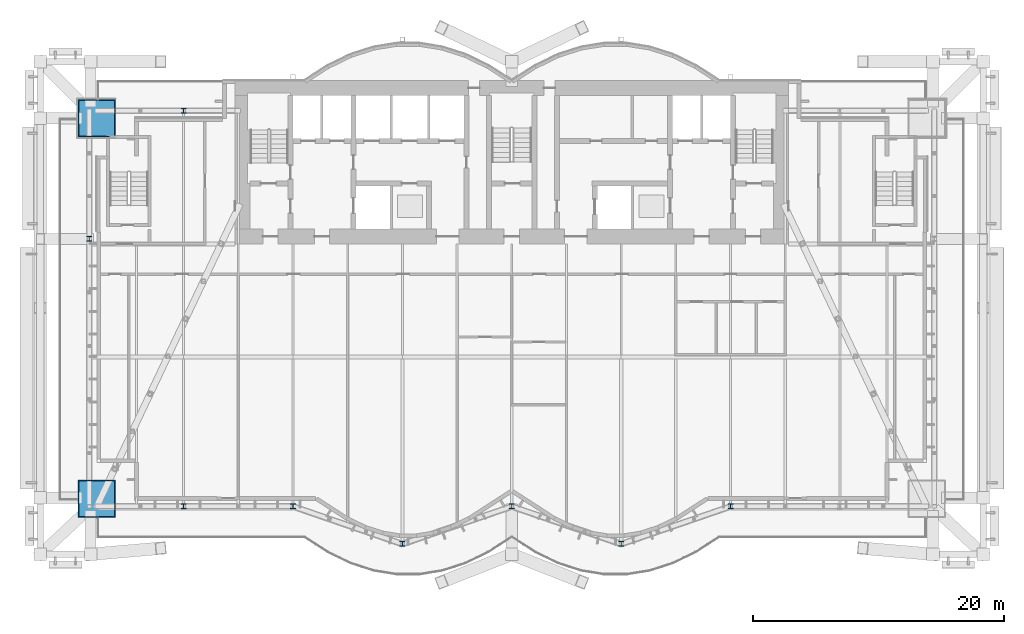
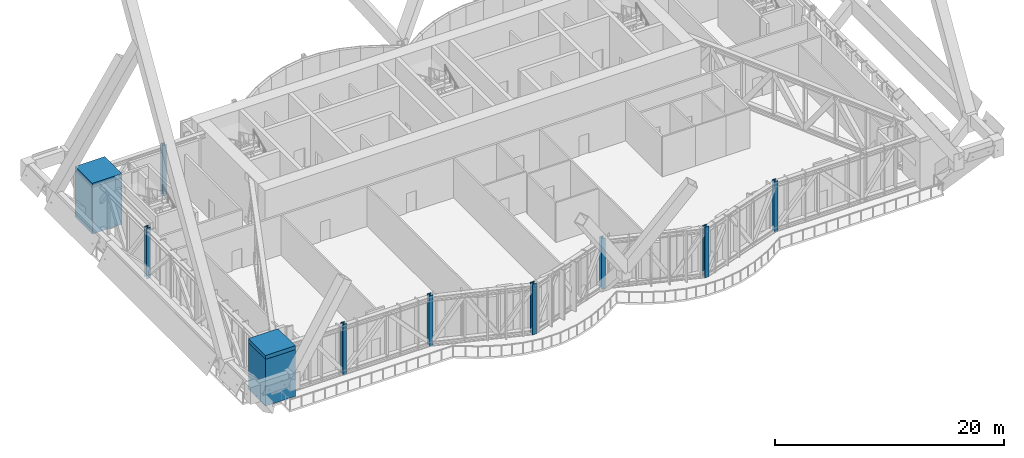
# One storey, part 1 of 32: 12 columns.
"""IFC4 building model written with IfcOpenShell, lengths in metres."""

import ifcopenshell
import ifcopenshell.guid

model = None  # the IFC model being written
_history = None  # IfcOwnerHistory: only IFC2X3 demands one
_inside = {}  # id of a spatial element -> (the spatial element, [elements in it])
_under = {}  # id of a project, library or spatial element -> (it, [spatial elements below it])
_declared = {}  # id of a project -> (the project, [libraries it declares])
_typed = {}  # id of a type object -> (the type object, [elements of that type])
_made_of = {}  # id of a material, layer set ... -> (it, [elements and type objects made of it])


def new_model(schema):
    """Start an empty IFC model of exactly this schema.

    Asked for "IFC4X3", IfcOpenShell would pick the latest addendum, in which some entities
    have other attributes; the version numbers below select the first issue.
    IFC2X3 requires an IfcOwnerHistory on every rooted entity: one is made here for all.
    """
    global model, _history
    if schema == "IFC4X3":
        model = ifcopenshell.file(schema_version=(4, 3, 0, 0))
    else:
        model = ifcopenshell.file(schema=schema)
    _inside.clear()
    _under.clear()
    _declared.clear()
    _typed.clear()
    _made_of.clear()
    _history = None
    if model.schema == "IFC2X3":
        org = make("IfcOrganization", Name="unknown")
        user = make(
            "IfcPersonAndOrganization",
            ThePerson=make("IfcPerson", FamilyName="unknown"),
            TheOrganization=org,
        )
        app = make(
            "IfcApplication",
            ApplicationDeveloper=org,
            Version="unknown",
            ApplicationFullName="unknown",
            ApplicationIdentifier="unknown",
        )
        _history = make(
            "IfcOwnerHistory",
            OwningUser=user,
            OwningApplication=app,
            ChangeAction="ADDED",
            CreationDate=0,
        )
    return model


def make(cls, **values):
    """One entity of the class cls with the attributes given. An attribute that is None is left unset."""
    return model.create_entity(
        cls, **{name: value for name, value in values.items() if value is not None}
    )


def rooted(cls, **values):
    """An entity with a GlobalId (a new one), such as an element, a storey or a relation."""
    return make(cls, GlobalId=ifcopenshell.guid.new(), OwnerHistory=_history, **values)


def si_unit(unit_type, name, prefix=None):
    """IfcSIUnit, for example si_unit("LENGTHUNIT", "METRE", prefix="MILLI")."""
    return make("IfcSIUnit", UnitType=unit_type, Prefix=prefix, Name=name)


def assignment(units):
    """IfcUnitAssignment: the units of a project."""
    return None if units is None else make("IfcUnitAssignment", Units=units)


def point(xyz):
    """IfcCartesianPoint."""
    return None if xyz is None else make("IfcCartesianPoint", Coordinates=xyz)


def direction(xyz):
    """IfcDirection."""
    return None if xyz is None else make("IfcDirection", DirectionRatios=xyz)


def frame(location, z_axis=None, x_axis=None):
    """IfcAxis2Placement3D, a coordinate frame: its origin and axes. An axis left out is left unset."""
    return make(
        "IfcAxis2Placement3D",
        Location=point(location),
        Axis=direction(z_axis),
        RefDirection=direction(x_axis),
    )


def frame_2d(location, x_axis=None):
    """IfcAxis2Placement2D, a coordinate frame in the plane: its origin and x axis."""
    return make(
        "IfcAxis2Placement2D", Location=point(location), RefDirection=direction(x_axis)
    )


def origin():
    """The frame at (0, 0, 0) with its axes left unset."""
    return frame((0.0, 0.0, 0.0))


def origin_2d():
    """The frame at (0, 0) in the plane with its x axis left unset."""
    return frame_2d((0.0, 0.0))


def place(relative_to, where):
    """IfcLocalPlacement: puts the frame where relative to a parent placement (None: the world)."""
    return make(
        "IfcLocalPlacement", PlacementRelTo=relative_to, RelativePlacement=where
    )


def context(
    kind, dimensions, precision=None, world=None, true_north=None, identifier=None
):
    """IfcGeometricRepresentationContext, for example the 3D "Model" context."""
    return make(
        "IfcGeometricRepresentationContext",
        ContextIdentifier=identifier,
        ContextType=kind,
        CoordinateSpaceDimension=dimensions,
        Precision=precision,
        WorldCoordinateSystem=world,
        TrueNorth=true_north,
    )


def subcontext(parent, identifier, kind, view, scale=None):
    """IfcGeometricRepresentationSubContext, for example "Body" below "Model"."""
    return make(
        "IfcGeometricRepresentationSubContext",
        ContextIdentifier=identifier,
        ContextType=kind,
        ParentContext=parent,
        TargetScale=scale,
        TargetView=view,
    )


def project(units=None, contexts=None):
    """IfcProject with its units and contexts."""
    return rooted(
        "IfcProject",
        Name="project",
        RepresentationContexts=contexts,
        UnitsInContext=assignment(units),
    )


def spatial(cls, under=None, at=None, **own):
    """A site, building, storey or space (cls), placed at a placement, below another one or the project."""
    s = rooted(cls, ObjectPlacement=at, **own)
    if under is not None:
        _under.setdefault(under.id(), (under, []))[1].append(s)
    return s


def profile(cls, at=None, kind="AREA", **sizes):
    """A parametric profile (cls). Its sizes go by their IFC names, for example OverallWidth=200.0."""
    return make(cls, ProfileType=kind, Position=at, **sizes)


def rectangle(**sizes):
    """IfcRectangleProfileDef."""
    return profile("IfcRectangleProfileDef", **sizes)


def hollow_rectangle(**sizes):
    """IfcRectangleHollowProfileDef."""
    return profile("IfcRectangleHollowProfileDef", **sizes)


def i_section(**sizes):
    """IfcIShapeProfileDef."""
    return profile("IfcIShapeProfileDef", **sizes)


def extrude(swept, where, along, depth):
    """IfcExtrudedAreaSolid: the profile swept, set in the frame where, extruded along a direction by depth."""
    return make(
        "IfcExtrudedAreaSolid",
        SweptArea=swept,
        Position=where,
        ExtrudedDirection=direction(along),
        Depth=depth,
    )


def shape(context_of_items, identifier, shape_type, items):
    """IfcShapeRepresentation: the items that make up one representation, for example the "Body"."""
    return make(
        "IfcShapeRepresentation",
        ContextOfItems=context_of_items,
        RepresentationIdentifier=identifier,
        RepresentationType=shape_type,
        Items=items,
    )


def material(Name=None, Category=None):
    """IfcMaterial."""
    return make("IfcMaterial", Name=Name, Category=Category)


def material_profile(
    of_material, cross_section, Name=None, Category=None, Priority=None
):
    """IfcMaterialProfile: a cross section and its material."""
    return make(
        "IfcMaterialProfile",
        Name=Name,
        Material=of_material,
        Profile=cross_section,
        Priority=Priority,
        Category=Category,
    )


def profile_set(profiles, Name=None, composite=None):
    """IfcMaterialProfileSet."""
    return make(
        "IfcMaterialProfileSet",
        Name=Name,
        MaterialProfiles=profiles,
        CompositeProfile=composite,
    )


def made_of(thing, what):
    """Note that an element or type object is made of a material, layer set ...; save() writes the relation."""
    if what is not None:
        _made_of.setdefault(what.id(), (what, []))[1].append(thing)
    return thing


def type_object(cls, material=None, **own):
    """A type object (cls), such as IfcWallType, which elements share."""
    return made_of(rooted(cls, **own), material)


def element(
    cls,
    number,
    at=None,
    inside=None,
    cuts=None,
    type_object=None,
    material=None,
    context=None,
    identifier="Body",
    shape_type=None,
    held_by="IfcProductDefinitionShape",
    body=None,
    shapes=None,
    **own,
):
    """One element of the class cls, such as IfcWall. Its Tag is "e" and its number.

    at: its placement. inside: the storey or other place that contains it. cuts: it is an
    opening in that element (IfcRelVoidsElement). A single representation is given by context,
    identifier, shape_type and body (its items); several are given by shapes. held_by: the class
    of the entity that holds the representations. save() writes the other relations.
    """
    e = rooted(cls, Tag="e%d" % number, ObjectPlacement=at, **own)
    if body is not None:
        shapes = [shape(context, identifier, shape_type, body)]
    if shapes is not None:
        e.Representation = make(held_by, Representations=shapes)
    if inside is not None:
        _inside.setdefault(inside.id(), (inside, []))[1].append(e)
    if cuts is not None:
        rooted(
            "IfcRelVoidsElement", RelatingBuildingElement=cuts, RelatedOpeningElement=e
        )
    if type_object is not None:
        _typed.setdefault(type_object.id(), (type_object, []))[1].append(e)
    return made_of(e, material)


def aggregate(whole, parts):
    """IfcRelAggregates: a whole, such as a stair, and the parts it consists of."""
    return rooted("IfcRelAggregates", RelatingObject=whole, RelatedObjects=parts)


def save(model, path):
    """Write the relations noted so far, then the file.

    IfcRelAggregates (storeys below a building ...), IfcRelContainedInSpatialStructure (elements
    in a storey), IfcRelDefinesByType, IfcRelAssociatesMaterial and IfcRelDeclares: one each for
    every whole, place, type object, material and project.
    """
    for whole, parts in _under.values():
        aggregate(whole, parts)
    for where, things in _inside.values():
        rooted(
            "IfcRelContainedInSpatialStructure",
            RelatedElements=things,
            RelatingStructure=where,
        )
    for kind, things in _typed.values():
        rooted("IfcRelDefinesByType", RelatedObjects=things, RelatingType=kind)
    for what, things in _made_of.values():
        rooted("IfcRelAssociatesMaterial", RelatedObjects=things, RelatingMaterial=what)
    for by, libraries in _declared.values():
        rooted("IfcRelDeclares", RelatingContext=by, RelatedDefinitions=libraries)
    model.write(path)


model = new_model("IFC4")

# Units and contexts
model_context = context("Model", 3, precision=1e-05, world=origin(), true_north=direction((0.0, 1.0)))
body_context = subcontext(model_context, "Body", "Model", "MODEL_VIEW")
ifc_project = project(units=[si_unit("LENGTHUNIT", "METRE"), si_unit("AREAUNIT", "SQUARE_METRE"), si_unit("VOLUMEUNIT", "CUBIC_METRE"), si_unit("PLANEANGLEUNIT", "RADIAN"), si_unit("MASSUNIT", "GRAM", prefix="KILO")], contexts=[model_context])

# Site, building, storey
site_placement = place(None, origin())
site = spatial("IfcSite", under=ifc_project, at=site_placement, CompositionType="ELEMENT")
building_placement = place(site_placement, origin())
building = spatial("IfcBuilding", under=site, at=building_placement, Name="Bicima Exchange Tower", CompositionType="ELEMENT")
storey_placement = place(building_placement, frame((0.0, 0.0, 135.0)))
storey = spatial("IfcBuildingStorey", under=building, at=storey_placement, Name="L29", CompositionType="ELEMENT", Elevation=135.0)

# Columns
ifc_material_1 = material(Name="Steel ASTM A572 Gr 50", Category="steel")
ifc_material_profile_1 = material_profile(ifc_material_1, hollow_rectangle(XDim=3.0, YDim=3.0, WallThickness=0.090087890625, at=origin_2d()))
ifc_profile_set_1 = profile_set([ifc_material_profile_1], Name="Steel ASTM A572 Gr 50")
column_type_1 = type_object("IfcColumnType", Name="Mega column BOX 3000x3000x90", PredefinedType="COLUMN", material=ifc_profile_set_1)
for number, where, z_axis, x_axis, name in (
    (1, (-33.0, -33.26611328125, 0.0), (0.0, 0.0, 1.0), (1.0, 0.0, 0.0), "Mega column mega-33.0f"),
    (2, (-33.0, -3.0, 0.0), (0.0, 0.0, 1.0), (1.0, 0.0, 0.0), "Mega column mega-33.0r"),
):
    element("IfcColumn", number, at=place(storey_placement, frame(where, z_axis=z_axis, x_axis=x_axis)), inside=storey, type_object=column_type_1, Name=name, PredefinedType="COLUMN", context=body_context, shape_type="SweptSolid", body=[
        extrude(hollow_rectangle(XDim=3.0, YDim=3.0, WallThickness=0.090087890625, at=origin_2d()), origin(), (0.0, 0.0, 1.0), 4.97998046875),
    ])
ifc_material_profile_2 = material_profile(ifc_material_1, rectangle(XDim=3.0, YDim=3.0, at=origin_2d()))
ifc_profile_set_2 = profile_set([ifc_material_profile_2], Name="Steel ASTM A572 Gr 50")
column_type_2 = type_object("IfcColumnType", Name="Mega column transition block 3000 x 420", PredefinedType="COLUMN", material=ifc_profile_set_2)
for number, where, z_axis, x_axis, name in (
    (3, (-33.0, -33.26611328125, 4.97998046875), (0.0, 0.0, 1.0), (1.0, 0.0, 0.0), "Mega column transition block mega-33.0f"),
    (4, (-33.0, -3.0, 4.97998046875), (0.0, 0.0, 1.0), (1.0, 0.0, 0.0), "Mega column transition block mega-33.0r"),
):
    element("IfcColumn", number, at=place(storey_placement, frame(where, z_axis=z_axis, x_axis=x_axis)), inside=storey, type_object=column_type_2, Name=name, PredefinedType="COLUMN", context=body_context, shape_type="SweptSolid", body=[
        extrude(rectangle(XDim=3.0, YDim=3.0, at=origin_2d()), origin(), (0.0, 0.0, 1.0), 0.419921875),
    ])
ifc_material_2 = material(Name="Steel ASTM A992 Gr 50", Category="steel")
ifc_material_profile_3 = material_profile(ifc_material_2, i_section(OverallWidth=0.398681640625, OverallDepth=0.393798828125, WebThickness=0.022705078125, FlangeThickness=0.03662109375, at=origin_2d()))
ifc_profile_set_3 = profile_set([ifc_material_profile_3], Name="Steel ASTM A992 Gr 50")
column_type_3 = type_object("IfcColumnType", Name="Perimeter column W14x193", PredefinedType="COLUMN", material=ifc_profile_set_3)
for number, where, z_axis, x_axis, name in (
    (5, (-26.10009765625, -33.865966796875, 0.0), (0.0, 0.0, 1.0), (1.0, 0.0, 0.0), "Perimeter column grav-26.1f"),
    (6, (-26.10009765625, -2.39990234375, 0.0), (0.0, 0.0, 1.0), (1.0, 0.0, 0.0), "Perimeter column grav-26.1r"),
    (7, (-17.39990234375, -33.865966796875, 0.0), (0.0, 0.0, 1.0), (1.0, 0.0, 0.0), "Perimeter column grav-17.4f"),
    (8, (-8.699951171875, -36.857177734375, 0.0), (0.0, 0.0, 1.0), (1.0, 0.0, 0.0), "Perimeter column grav-8.7f"),
    (9, (0.0, -33.865966796875, 0.0), (0.0, 0.0, 1.0), (1.0, 0.0, 0.0), "Perimeter column grav-0.0f"),
    (10, (8.699951171875, -36.857177734375, 0.0), (0.0, 0.0, 1.0), (1.0, 0.0, 0.0), "Perimeter column grav+8.7f"),
    (11, (17.39990234375, -33.865966796875, 0.0), (0.0, 0.0, 1.0), (1.0, 0.0, 0.0), "Perimeter column grav+17.4f"),
    (12, (-33.60009765625, -12.60009765625, 0.0), (0.0, 0.0, 1.0), (1.0, 0.0, 0.0), "End column end-33.6e"),
):
    element("IfcColumn", number, at=place(storey_placement, frame(where, z_axis=z_axis, x_axis=x_axis)), inside=storey, type_object=column_type_3, Name=name, PredefinedType="COLUMN", context=body_context, shape_type="SweptSolid", body=[
        extrude(i_section(OverallWidth=0.398681640625, OverallDepth=0.393798828125, WebThickness=0.022705078125, FlangeThickness=0.03662109375, at=origin_2d()), origin(), (0.0, 0.0, 1.0), 5.39990234375),
    ])

save(model, "model.ifc")
